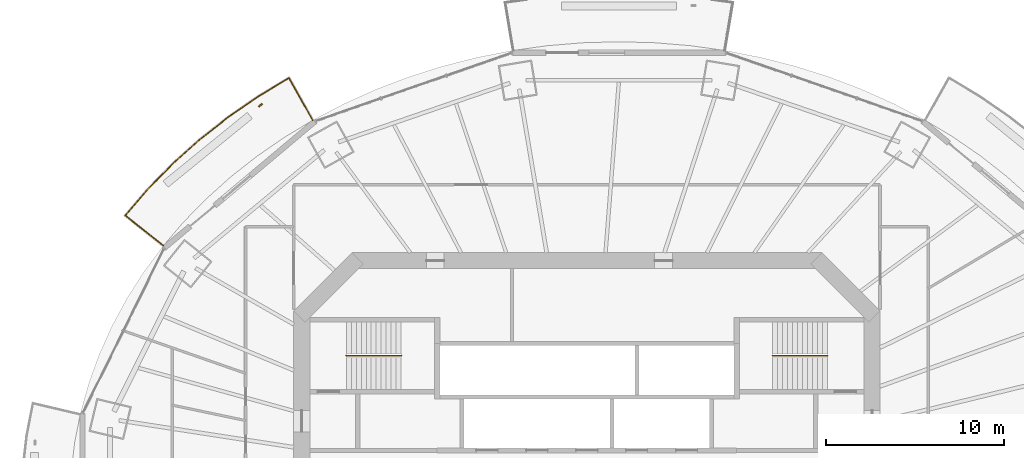
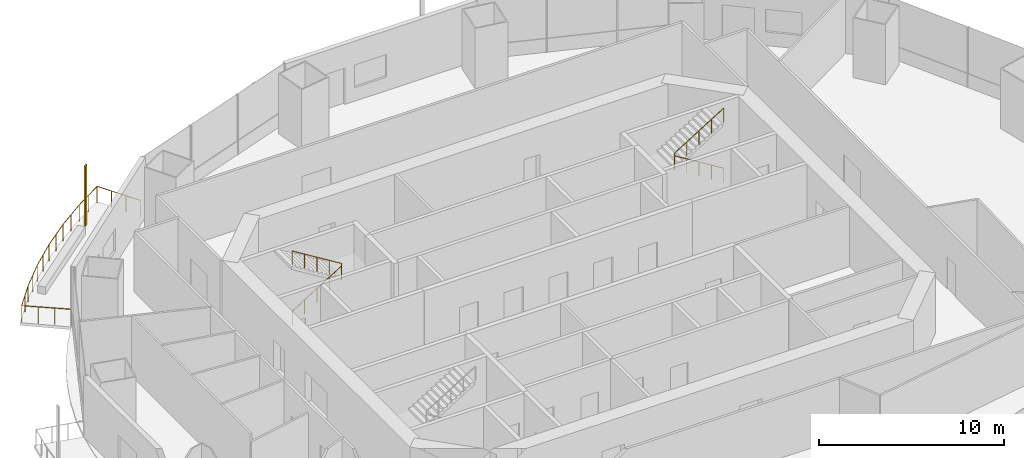
# One storey, part 16 of 19: 3 railings, 1 shading device.
"""IFC4 building model written with IfcOpenShell, lengths in metres."""

from ifc_helpers import new_model, si_unit, direction, frame, origin, origin_2d, place, context, subcontext, project, spatial, rectangle, circle, extrude, material, material_profile, profile_set, type_object, element, save


model = new_model("IFC4")

# Units and contexts
model_context = context("Model", 3, precision=1e-05, world=origin(), true_north=direction((0.0, 1.0)))
body_context = subcontext(model_context, "Body", "Model", "MODEL_VIEW")
ifc_project = project(units=[si_unit("LENGTHUNIT", "METRE"), si_unit("AREAUNIT", "SQUARE_METRE"), si_unit("VOLUMEUNIT", "CUBIC_METRE"), si_unit("PLANEANGLEUNIT", "RADIAN"), si_unit("MASSUNIT", "GRAM", prefix="KILO")], contexts=[model_context])

# Site, building, storey
site_placement = place(None, origin())
site = spatial("IfcSite", under=ifc_project, at=site_placement, CompositionType="ELEMENT")
building_placement = place(site_placement, origin())
building = spatial("IfcBuilding", under=site, at=building_placement, Name="Marenthal Gate Tower", CompositionType="ELEMENT")
storey_placement = place(building_placement, frame((0.0, 0.0, 223.300048828125)))
storey = spatial("IfcBuildingStorey", under=building, at=storey_placement, Name="L49", CompositionType="ELEMENT", Elevation=223.300048828125)

# Railings
ifc_material_1 = material(Name="Stainless steel", Category="steel")
railing_type_1 = type_object("IfcRailingType", Name="Balcony guard 1100", PredefinedType="GUARDRAIL", material=ifc_material_1)
railing_1_placement = place(storey_placement, frame((-23.76611328125, 13.843505859375, 0.0)))
element("IfcRailing", 1, at=railing_1_placement, inside=storey, type_object=railing_type_1, Name="Balcony guard L49 bay 6", PredefinedType="GUARDRAIL", context=body_context, shape_type="SweptSolid", body=[
    extrude(circle(Radius=0.02392578125, at=origin_2d()), frame((0.0, 0.0, 1.076171875), z_axis=(-0.782855020802, 0.62203005264, -0.014718356461), x_axis=(-0.622097438779, -0.78293982953, 0.0)), (0.0, 0.0, 1.0), 2.720458984375),
    extrude(circle(Radius=0.02392578125, at=origin_2d()), frame((-2.129638671875, 1.692138671875, 1.0361328125), z_axis=(0.649961690438, 0.7599669736, 0.0), x_axis=(-0.7599669736, 0.649961690438, 0.0)), (0.0, 0.0, 1.0), 1.915283203125),
    extrude(circle(Radius=0.02392578125, at=origin_2d()), frame((-0.884765625, 3.147705078125, 1.0361328125), z_axis=(0.698683190488, 0.71543119818, 0.0), x_axis=(-0.71543119818, 0.698683190488, 0.0)), (0.0, 0.0, 1.0), 2.01171875),
    extrude(circle(Radius=0.02392578125, at=origin_2d()), frame((0.520751953125, 4.5869140625, 1.0361328125), z_axis=(0.744394107791, 0.667740527665, 0.0), x_axis=(-0.667740527665, 0.744394107791, 0.0)), (0.0, 0.0, 1.0), 2.02880859375),
    extrude(circle(Radius=0.02392578125, at=origin_2d()), frame((2.031005859375, 5.941650390625, 1.0361328125), z_axis=(0.785792171054, 0.618490633648, 0.0), x_axis=(-0.618490633648, 0.785792171054, 0.0)), (0.0, 0.0, 1.0), 2.0458984375),
    extrude(circle(Radius=0.02392578125, at=origin_2d()), frame((3.638671875, 7.20703125, 1.0361328125), z_axis=(0.823243306464, 0.567688698462, 0.0), x_axis=(-0.567688698462, 0.823243306464, 0.0)), (0.0, 0.0, 1.0), 2.0625),
    extrude(circle(Radius=0.02392578125, at=origin_2d()), frame((5.336669921875, 8.3779296875, 1.0361328125), z_axis=(0.85605628785, 0.516882609528, 0.0), x_axis=(-0.516882609528, 0.85605628785, 0.0)), (0.0, 0.0, 1.0), 1.9990234375),
    extrude(circle(Radius=0.02392578125, at=origin_2d()), frame((7.0478515625, 9.4111328125, 1.0361328125), z_axis=(0.489867191078, -0.871672803179, 0.014719351289), x_axis=(0.871767246537, 0.489920266845, 0.0)), (0.0, 0.0, 1.0), 2.72021484375),
    extrude(circle(Radius=0.02099609375, at=origin_2d()), origin(), (0.0, 0.0, 1.0), 1.052001953125),
    extrude(circle(Radius=0.02099609375, at=origin_2d()), frame((-0.7099609375, 0.56396484375, -0.013427734375)), (0.0, 0.0, 1.0), 1.052001953125),
    extrude(circle(Radius=0.02099609375, at=origin_2d()), frame((-1.419677734375, 1.128173828125, -0.026611328125)), (0.0, 0.0, 1.0), 1.052001953125),
    extrude(circle(Radius=0.02099609375, at=origin_2d()), frame((-2.129638671875, 1.692138671875, -0.0400390625)), (0.0, 0.0, 1.0), 1.052001953125),
    extrude(circle(Radius=0.02099609375, at=origin_2d()), frame((-1.50732421875, 2.419921875, -0.0400390625)), (0.0, 0.0, 1.0), 1.052001953125),
    extrude(circle(Radius=0.02099609375, at=origin_2d()), frame((-0.884765625, 3.147705078125, -0.0400390625)), (0.0, 0.0, 1.0), 1.052001953125),
    extrude(circle(Radius=0.02099609375, at=origin_2d()), frame((-0.18212890625, 3.8671875, -0.0400390625)), (0.0, 0.0, 1.0), 1.052001953125),
    extrude(circle(Radius=0.02099609375, at=origin_2d()), frame((0.520751953125, 4.5869140625, -0.0400390625)), (0.0, 0.0, 1.0), 1.052001953125),
    extrude(circle(Radius=0.02099609375, at=origin_2d()), frame((1.27587890625, 5.26416015625, -0.0400390625)), (0.0, 0.0, 1.0), 1.052001953125),
    extrude(circle(Radius=0.02099609375, at=origin_2d()), frame((2.031005859375, 5.941650390625, -0.0400390625)), (0.0, 0.0, 1.0), 1.052001953125),
    extrude(circle(Radius=0.02099609375, at=origin_2d()), frame((2.8349609375, 6.57421875, -0.0400390625)), (0.0, 0.0, 1.0), 1.052001953125),
    extrude(circle(Radius=0.02099609375, at=origin_2d()), frame((3.638671875, 7.20703125, -0.0400390625)), (0.0, 0.0, 1.0), 1.052001953125),
    extrude(circle(Radius=0.02099609375, at=origin_2d()), frame((4.48779296875, 7.79248046875, -0.0400390625)), (0.0, 0.0, 1.0), 1.052001953125),
    extrude(circle(Radius=0.02099609375, at=origin_2d()), frame((5.336669921875, 8.3779296875, -0.0400390625)), (0.0, 0.0, 1.0), 1.052001953125),
    extrude(circle(Radius=0.02099609375, at=origin_2d()), frame((6.1923828125, 8.89453125, -0.0400390625)), (0.0, 0.0, 1.0), 1.052001953125),
    extrude(circle(Radius=0.02099609375, at=origin_2d()), frame((7.0478515625, 9.4111328125, -0.0400390625)), (0.0, 0.0, 1.0), 1.052001953125),
    extrude(circle(Radius=0.02099609375, at=origin_2d()), frame((7.491943359375, 8.620849609375, -0.026611328125)), (0.0, 0.0, 1.0), 1.052001953125),
    extrude(circle(Radius=0.02099609375, at=origin_2d()), frame((7.936279296875, 7.830322265625, -0.013427734375)), (0.0, 0.0, 1.0), 1.052001953125),
    extrude(circle(Radius=0.02099609375, at=origin_2d()), frame((8.38037109375, 7.0400390625, 0.0)), (0.0, 0.0, 1.0), 1.052001953125),
])
ifc_material_2 = material(Name="Stainless steel", Category="steel")
railing_type_2 = type_object("IfcRailingType", Name="Stair handrail", PredefinedType="HANDRAIL", material=ifc_material_2)
railing_2_placement = place(storey_placement, frame((-13.5, 7.675048828125, 0.1728515625)))
element("IfcRailing", 2, at=railing_2_placement, inside=storey, type_object=railing_type_2, Name="Handrail ST1", PredefinedType="HANDRAIL", context=body_context, shape_type="SweptSolid", body=[
    extrude(circle(Radius=0.0224609375, at=origin_2d()), frame((0.0, 0.0, 0.927490234375), z_axis=(0.850835241893, 0.0, 0.525432575268), x_axis=(0.0, 1.0, 0.0)), (0.0, 0.0, 1.0), 3.6201171875),
    extrude(circle(Radius=0.0224609375, at=origin_2d()), frame((3.080078125, 0.0, 2.82958984375), z_axis=(0.0, 0.0, 1.0), x_axis=(1.0, 0.0, 0.0)), (0.0, 0.0, 1.0), 0.1728515625),
    extrude(circle(Radius=0.0224609375, at=origin_2d()), frame((3.080078125, 0.0, 3.00244140625), z_axis=(-0.850835241893, 0.0, 0.525432575268), x_axis=(0.0, -1.0, 0.0)), (0.0, 0.0, 1.0), 3.6201171875),
    extrude(circle(Radius=0.02001953125, at=origin_2d()), origin(), (0.0, 0.0, 1.0), 0.905029296875),
    extrude(circle(Radius=0.02001953125, at=origin_2d()), frame((0.77001953125, 0.0, 0.4755859375)), (0.0, 0.0, 1.0), 0.905029296875),
    extrude(circle(Radius=0.02001953125, at=origin_2d()), frame((1.5400390625, 0.0, 0.951171875)), (0.0, 0.0, 1.0), 0.905029296875),
    extrude(circle(Radius=0.02001953125, at=origin_2d()), frame((2.31005859375, 0.0, 1.426513671875)), (0.0, 0.0, 1.0), 0.905029296875),
    extrude(circle(Radius=0.02001953125, at=origin_2d()), frame((3.080078125, 0.0, 1.902099609375)), (0.0, 0.0, 1.0), 0.905029296875),
    extrude(circle(Radius=0.02001953125, at=origin_2d()), frame((3.080078125, 0.0, 2.074951171875)), (0.0, 0.0, 1.0), 0.905029296875),
    extrude(circle(Radius=0.02001953125, at=origin_2d()), frame((2.31005859375, 0.0, 2.550537109375)), (0.0, 0.0, 1.0), 0.905029296875),
    extrude(circle(Radius=0.02001953125, at=origin_2d()), frame((1.5400390625, 0.0, 3.02587890625)), (0.0, 0.0, 1.0), 0.905029296875),
    extrude(circle(Radius=0.02001953125, at=origin_2d()), frame((0.77001953125, 0.0, 3.50146484375)), (0.0, 0.0, 1.0), 0.905029296875),
    extrude(circle(Radius=0.02001953125, at=origin_2d()), frame((0.0, 0.0, 3.97705078125)), (0.0, 0.0, 1.0), 0.905029296875),
])
railing_3_placement = place(storey_placement, frame((13.5, 7.675048828125, 0.1728515625)))
element("IfcRailing", 3, at=railing_3_placement, inside=storey, type_object=railing_type_2, Name="Handrail ST3", PredefinedType="HANDRAIL", context=body_context, shape_type="SweptSolid", body=[
    extrude(circle(Radius=0.0224609375, at=origin_2d()), frame((0.0, 0.0, 0.927490234375), z_axis=(-0.850835241893, 0.0, 0.525432575268), x_axis=(0.0, -1.0, 0.0)), (0.0, 0.0, 1.0), 3.6201171875),
    extrude(circle(Radius=0.0224609375, at=origin_2d()), frame((-3.080078125, 0.0, 2.82958984375), z_axis=(0.0, 0.0, 1.0), x_axis=(1.0, 0.0, 0.0)), (0.0, 0.0, 1.0), 0.1728515625),
    extrude(circle(Radius=0.0224609375, at=origin_2d()), frame((-3.080078125, 0.0, 3.00244140625), z_axis=(0.850835241893, 0.0, 0.525432575268), x_axis=(0.0, 1.0, 0.0)), (0.0, 0.0, 1.0), 3.6201171875),
    extrude(circle(Radius=0.02001953125, at=origin_2d()), origin(), (0.0, 0.0, 1.0), 0.905029296875),
    extrude(circle(Radius=0.02001953125, at=origin_2d()), frame((-0.77001953125, 0.0, 0.4755859375)), (0.0, 0.0, 1.0), 0.905029296875),
    extrude(circle(Radius=0.02001953125, at=origin_2d()), frame((-1.5400390625, 0.0, 0.951171875)), (0.0, 0.0, 1.0), 0.905029296875),
    extrude(circle(Radius=0.02001953125, at=origin_2d()), frame((-2.31005859375, 0.0, 1.426513671875)), (0.0, 0.0, 1.0), 0.905029296875),
    extrude(circle(Radius=0.02001953125, at=origin_2d()), frame((-3.080078125, 0.0, 1.902099609375)), (0.0, 0.0, 1.0), 0.905029296875),
    extrude(circle(Radius=0.02001953125, at=origin_2d()), frame((-3.080078125, 0.0, 2.074951171875)), (0.0, 0.0, 1.0), 0.905029296875),
    extrude(circle(Radius=0.02001953125, at=origin_2d()), frame((-2.31005859375, 0.0, 2.550537109375)), (0.0, 0.0, 1.0), 0.905029296875),
    extrude(circle(Radius=0.02001953125, at=origin_2d()), frame((-1.5400390625, 0.0, 3.02587890625)), (0.0, 0.0, 1.0), 0.905029296875),
    extrude(circle(Radius=0.02001953125, at=origin_2d()), frame((-0.77001953125, 0.0, 3.50146484375)), (0.0, 0.0, 1.0), 0.905029296875),
    extrude(circle(Radius=0.02001953125, at=origin_2d()), frame((0.0, 0.0, 3.97705078125)), (0.0, 0.0, 1.0), 0.905029296875),
])

# Shading device
ifc_material_3 = material(Name="Terracotta", Category="masonry")
ifc_material_profile = material_profile(ifc_material_3, rectangle(XDim=0.25, YDim=0.080078125, at=origin_2d()), Name="Terracotta baguette 250x80")
ifc_profile_set = profile_set([ifc_material_profile], Name="Terracotta")
shading_device_type = type_object("IfcShadingDeviceType", Name="Terracotta BAGUETTE SCREEN 250x80", PredefinedType="USERDEFINED", material=ifc_profile_set)
shading_device_placement = place(storey_placement, frame((-18.320556640625, 21.72802734375, -0.0400390625), z_axis=(0.0, 0.0, 1.0), x_axis=(-0.765550876952, -0.643375360732, 0.0)))
element("IfcShadingDevice", 4, at=shading_device_placement, inside=storey, type_object=shading_device_type, Name="Terracotta BAGUETTE L49 bay 6L", ObjectType="BAGUETTE SCREEN", PredefinedType="USERDEFINED", context=body_context, shape_type="SweptSolid", body=[
    extrude(rectangle(XDim=0.25, YDim=0.080078125, at=origin_2d()), origin(), (0.0, 0.0, 1.0), 3.969970703125),
])

save(model, "model.ifc")
